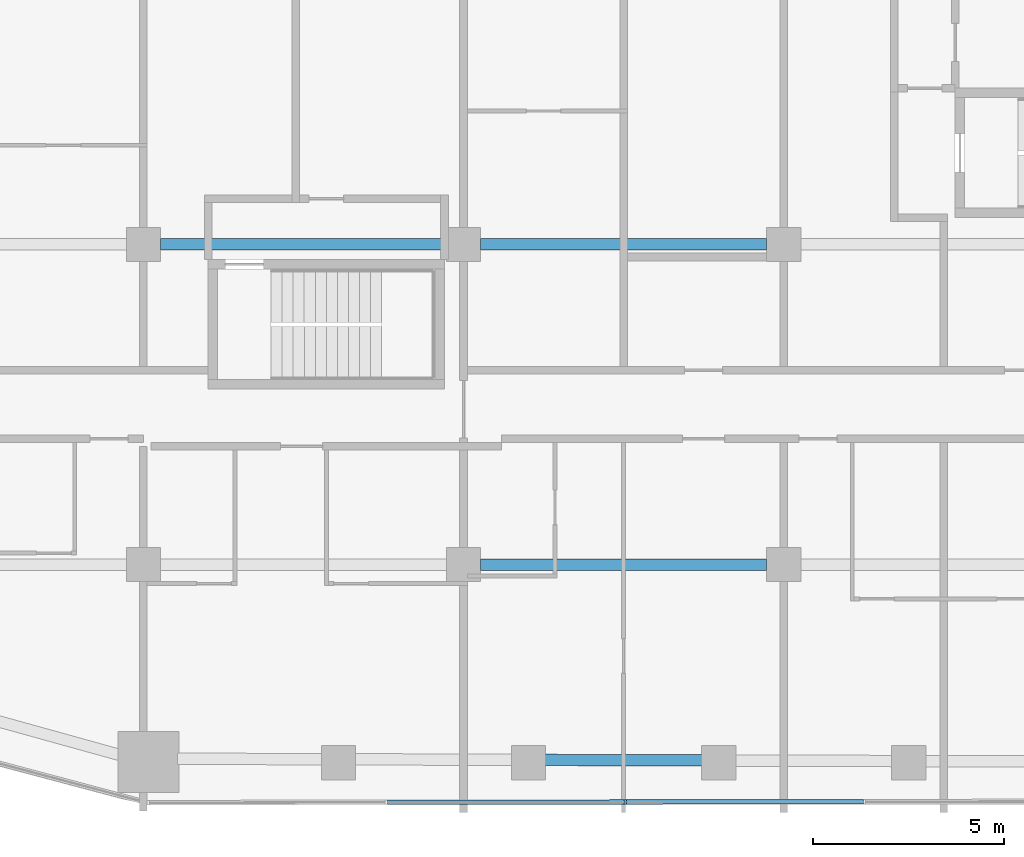
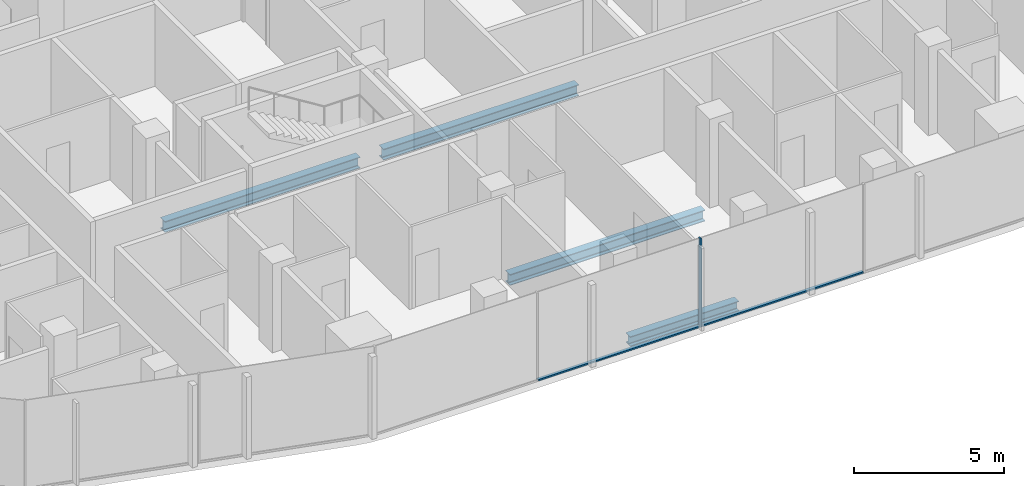
# One storey, part 3 of 23: 4 beams, 3 members, 1 element without a shape of its own.
"""IFC4 building model written with IfcOpenShell, lengths in metres."""

from ifc_helpers import new_model, si_unit, direction, frame, origin, origin_2d, place, context, subcontext, project, spatial, rectangle, i_section, extrude, material, layer, layer_set, material_profile, profile_set, type_object, element, aggregate, save


model = new_model("IFC4")

# Units and contexts
model_context = context("Model", 3, precision=1e-05, world=origin(), true_north=direction((0.0, 1.0)))
body_context = subcontext(model_context, "Body", "Model", "MODEL_VIEW")
ifc_project = project(units=[si_unit("LENGTHUNIT", "METRE"), si_unit("AREAUNIT", "SQUARE_METRE"), si_unit("VOLUMEUNIT", "CUBIC_METRE"), si_unit("PLANEANGLEUNIT", "RADIAN"), si_unit("MASSUNIT", "GRAM", prefix="KILO")], contexts=[model_context])

# Site, building, storey
site_placement = place(None, origin())
site = spatial("IfcSite", under=ifc_project, at=site_placement, CompositionType="ELEMENT")
building_placement = place(site_placement, origin())
building = spatial("IfcBuilding", under=site, at=building_placement, Name="Marenta Gate Hotel Tower", CompositionType="ELEMENT")
storey_placement = place(building_placement, frame((0.0, 0.0, 155.300048828125)))
storey = spatial("IfcBuildingStorey", under=building, at=storey_placement, Name="L36", CompositionType="ELEMENT", Elevation=155.300048828125)

# Beams
ifc_material_1 = material(Name="Steel S355", Category="steel")
ifc_material_profile_1 = material_profile(ifc_material_1, i_section(OverallWidth=0.300048828125, OverallDepth=0.39990234375, WebThickness=0.013427734375, FlangeThickness=0.02392578125, FilletRadius=0.027099609375, at=origin_2d()), Name="HEB 400")
ifc_profile_set_1 = profile_set([ifc_material_profile_1], Name="Steel S355")
beam_type_1 = type_object("IfcBeamType", Name="Edge beam HEB 400", PredefinedType="SPANDREL", material=ifc_profile_set_1)
beam_placement = place(storey_placement, frame((2.08349609375, -21.939453125, -0.4599609375), z_axis=(-0.999994808095, 0.003222387769, 0.0), x_axis=(-0.003222387769, -0.999994808095, 0.0)))
element("IfcBeam", 1, at=beam_placement, inside=storey, type_object=beam_type_1, Name="L36-EB-34", PredefinedType="SPANDREL", context=body_context, shape_type="SweptSolid", body=[
    extrude(i_section(OverallWidth=0.300048828125, OverallDepth=0.39990234375, WebThickness=0.013427734375, FlangeThickness=0.02392578125, FilletRadius=0.027099609375, at=origin_2d()), origin(), (0.0, 0.0, 1.0), 4.1669921875),
])
ifc_material_2 = material(Name="Steel S355", Category="steel")
ifc_material_profile_2 = material_profile(ifc_material_2, i_section(OverallWidth=0.300048828125, OverallDepth=0.449951171875, WebThickness=0.013916015625, FlangeThickness=0.02587890625, FilletRadius=0.027099609375, at=origin_2d()), Name="HEB 450")
ifc_profile_set_2 = profile_set([ifc_material_profile_2], Name="Steel S355")
beam_type_2 = type_object("IfcBeamType", Name="Girder HEB 450", PredefinedType="BEAM", material=ifc_profile_set_2)
for number, where, z_axis, x_axis, name in (
    (2, (-3.75, -16.800048828125, -0.485107421875), (1.0, 0.0, 0.0), (0.0, 1.0, 0.0), "L36-GD-4"),
    (3, (-12.14990234375, -8.39990234375, -0.485107421875), (1.0, 0.0, 0.0), (0.0, 1.0, 0.0), "L36-GD-10"),
    (4, (-3.75, -8.39990234375, -0.485107421875), (1.0, 0.0, 0.0), (0.0, 1.0, 0.0), "L36-GD-11"),
):
    element("IfcBeam", number, at=place(storey_placement, frame(where, z_axis=z_axis, x_axis=x_axis)), inside=storey, type_object=beam_type_2, Name=name, PredefinedType="BEAM", context=body_context, shape_type="SweptSolid", body=[
        extrude(i_section(OverallWidth=0.300048828125, OverallDepth=0.449951171875, WebThickness=0.013916015625, FlangeThickness=0.02587890625, FilletRadius=0.027099609375, at=origin_2d()), origin(), (0.0, 0.0, 1.0), 7.5),
    ])

# Curtain wall, members
ifc_material_3 = material(Name="Tinted insulated glass in bronze anodised frame", Category="glass")
ifc_layer = layer(ifc_material_3, 0.1201171875)
ifc_layer_set = layer_set([ifc_layer], Name="Tinted insulated glass in bronze anodised frame")
curtain_wall_type = type_object("IfcCurtainWallType", Name="Tower unitised curtain wall CW1", PredefinedType="NOTDEFINED", material=ifc_layer_set)
curtain_wall_placement = place(storey_placement, origin())
curtain_wall = element("IfcCurtainWall", 5, at=curtain_wall_placement, inside=storey, type_object=curtain_wall_type, Name="CW1 run G07", PredefinedType="NOTDEFINED")
ifc_material_4 = material(Name="Bronze anodised aluminium", Category="aluminium")
ifc_material_profile_3 = material_profile(ifc_material_4, rectangle(XDim=0.1201171875, YDim=0.06005859375, at=origin_2d()), Name="Mullion CW1 60x120 bronze anodised aluminium")
ifc_profile_set_3 = profile_set([ifc_material_profile_3], Name="Bronze anodised aluminium")
member_type_1 = type_object("IfcMemberType", Name="Mullion CW1 60x120 bronze anodised aluminium", PredefinedType="MULLION", material=ifc_profile_set_3)
member_1_placement = place(storey_placement, frame((0.0458984375, -23.030517578125, 0.0), z_axis=(0.0, 0.0, 1.0), x_axis=(-0.001362347707, 0.999999072004, 0.0)))
member_1 = element("IfcMember", 6, at=member_1_placement, type_object=member_type_1, Name="CW1 mullion 3", PredefinedType="MULLION", context=body_context, shape_type="SweptSolid", body=[
    extrude(rectangle(XDim=0.1201171875, YDim=0.06005859375, at=origin_2d()), origin(), (0.0, 0.0, 1.0), 3.599853515625),
])
ifc_material_5 = material(Name="Bronze anodised aluminium", Category="aluminium")
ifc_material_profile_4 = material_profile(ifc_material_5, rectangle(XDim=0.1201171875, YDim=0.06005859375, at=origin_2d()), Name="Transom CW1 60x120 bronze anodised aluminium")
ifc_profile_set_4 = profile_set([ifc_material_profile_4], Name="Bronze anodised aluminium")
member_type_2 = type_object("IfcMemberType", Name="Transom CW1 60x120 bronze anodised aluminium", PredefinedType="USERDEFINED", material=ifc_profile_set_4)
member_2_placement = place(storey_placement, frame((-6.199951171875, -23.038818359375, 0.030029296875), z_axis=(0.999999108317, 0.001335426932, 0.0), x_axis=(-0.001335426932, 0.999999108317, 0.0)))
member_2 = element("IfcMember", 7, at=member_2_placement, type_object=member_type_2, Name="CW1 transom 2.1", ObjectType="TRANSOM", PredefinedType="USERDEFINED", context=body_context, shape_type="SweptSolid", body=[
    extrude(rectangle(XDim=0.1201171875, YDim=0.06005859375, at=origin_2d()), origin(), (0.0, 0.0, 1.0), 6.2158203125),
])
member_3_placement = place(storey_placement, frame((0.075927734375, -23.0302734375, 0.030029296875), z_axis=(0.999999108387, 0.001335374482, 0.0), x_axis=(-0.001335374482, 0.999999108387, 0.0)))
member_3 = element("IfcMember", 8, at=member_3_placement, type_object=member_type_2, Name="CW1 transom 3.1", ObjectType="TRANSOM", PredefinedType="USERDEFINED", context=body_context, shape_type="SweptSolid", body=[
    extrude(rectangle(XDim=0.1201171875, YDim=0.06005859375, at=origin_2d()), origin(), (0.0, 0.0, 1.0), 6.216064453125),
])
aggregate(curtain_wall, [member_1, member_2, member_3])

save(model, "model.ifc")
